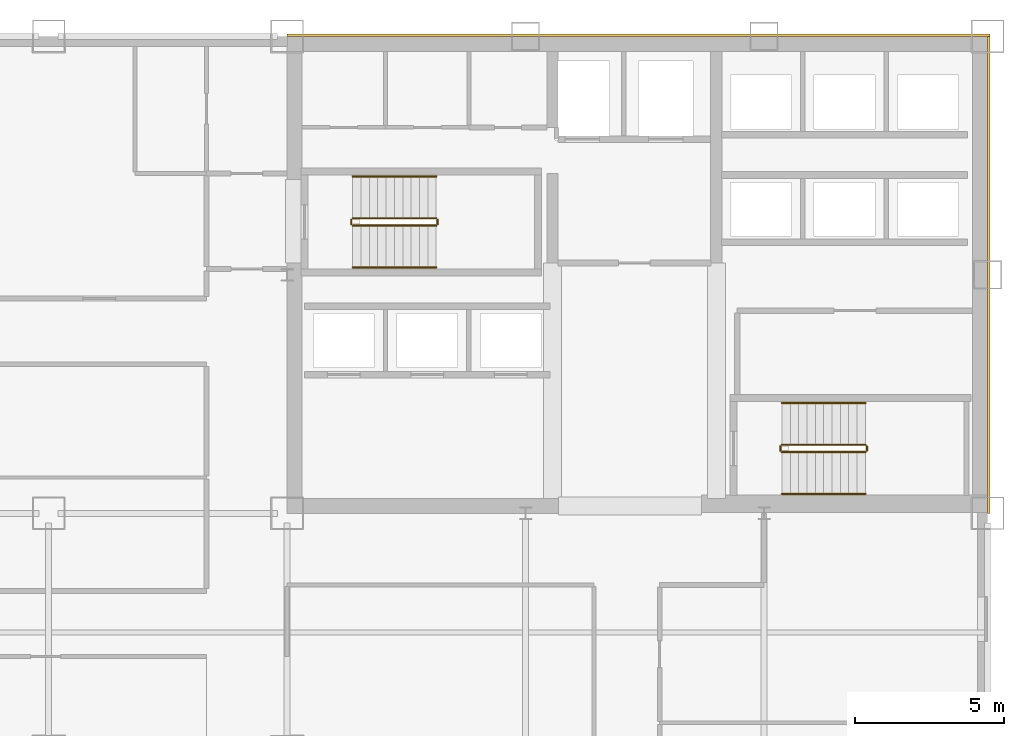
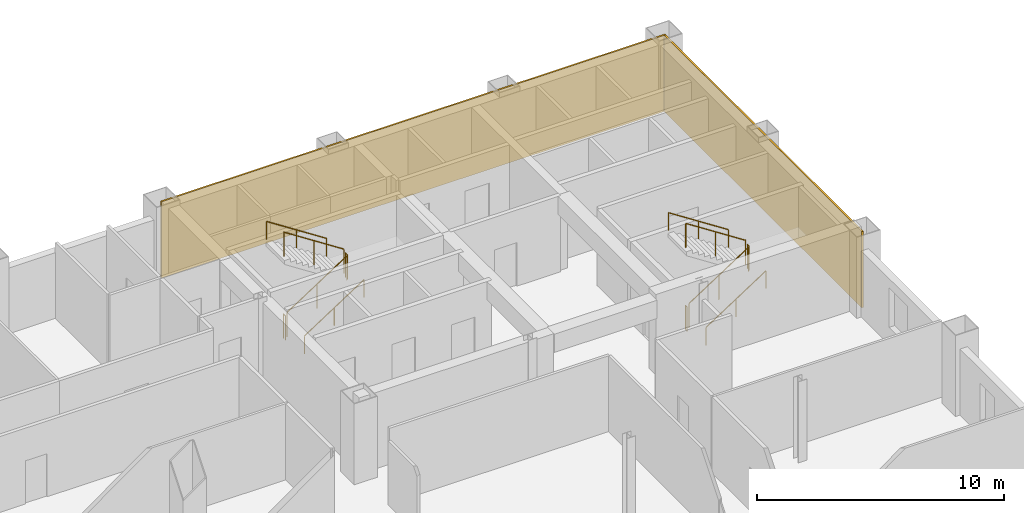
# One storey, part 10 of 10: 12 railings, 2 coverings.
"""IFC4 building model written with IfcOpenShell, lengths in metres."""

from ifc_helpers import new_model, si_unit, direction, frame, origin, origin_2d, place, context, subcontext, project, spatial, rectangle, circle, extrude, material, layer, layer_set, type_object, element, save


model = new_model("IFC4")

# Units and contexts
model_context = context("Model", 3, precision=1e-05, world=origin(), true_north=direction((0.0, 1.0)))
body_context = subcontext(model_context, "Body", "Model", "MODEL_VIEW")
ifc_project = project(units=[si_unit("LENGTHUNIT", "METRE"), si_unit("AREAUNIT", "SQUARE_METRE"), si_unit("VOLUMEUNIT", "CUBIC_METRE"), si_unit("PLANEANGLEUNIT", "RADIAN"), si_unit("MASSUNIT", "GRAM", prefix="KILO")], contexts=[model_context])

# Site, building, storey
site_placement = place(None, origin())
site = spatial("IfcSite", under=ifc_project, at=site_placement, CompositionType="ELEMENT")
building_placement = place(site_placement, origin())
building = spatial("IfcBuilding", under=site, at=building_placement, Name="Qianrong Seaharbour Tower", CompositionType="ELEMENT")
storey_placement = place(building_placement, frame((0.0, 0.0, 187.0)))
storey = spatial("IfcBuildingStorey", under=building, at=storey_placement, Name="L45", CompositionType="ELEMENT", Elevation=187.0)

# Coverings
ifc_material_1 = material(Name="Unitised red brick cladding on Precast concrete C45/55", Category="masonry")
ifc_layer = layer(ifc_material_1, 0.080078125)
ifc_layer_set = layer_set([ifc_layer], Name="Unitised red brick cladding on Precast concrete C45/55")
covering_type = type_object("IfcCoveringType", Name="COV-CLAD-RED-BRICK-80", PredefinedType="CLADDING", material=ifc_layer_set)
covering_1_placement = place(storey_placement, frame((52.2900390625, 52.0400390625, 0.0), z_axis=(0.0, 0.0, 1.0), x_axis=(1.0, 0.0, 0.0)))
element("IfcCovering", 1, at=covering_1_placement, inside=storey, type_object=covering_type, Name="L45 North Core Brick Veneer Cladding", PredefinedType="CLADDING", context=body_context, shape_type="SweptSolid", body=[
    extrude(rectangle(XDim=23.580078125, YDim=0.080078125, at=origin_2d()), origin(), (0.0, 0.0, 1.0), 3.764892578125),
])
covering_2_placement = place(storey_placement, frame((64.0400390625, 44.0, 0.0), z_axis=(0.0, 0.0, 1.0), x_axis=(1.0, 0.0, 0.0)))
element("IfcCovering", 2, at=covering_2_placement, inside=storey, type_object=covering_type, Name="L45 East Core Brick Veneer Cladding", PredefinedType="CLADDING", context=body_context, shape_type="SweptSolid", body=[
    extrude(rectangle(XDim=0.080078125, YDim=16.0, at=origin_2d()), origin(), (0.0, 0.0, 1.0), 3.764892578125),
])

# Railings
ifc_material_2 = material(Name="Galvanized painted steel SN400B stair guard", Category="steel")
railing_type_1 = type_object("IfcRailingType", Name="RAIL-STAIR-GUARD-1220", PredefinedType="GUARDRAIL", material=ifc_material_2)
railing_1_placement = place(storey_placement, frame((42.699951171875, 45.64990234375, 0.181884765625)))
element("IfcRailing", 3, at=railing_1_placement, inside=storey, type_object=railing_type_1, Name="L45 ST-1 stair guard 1", PredefinedType="GUARDRAIL", context=body_context, shape_type="SweptSolid", body=[
    extrude(circle(Radius=0.02392578125, at=origin_2d()), frame((0.0, 0.0, 1.19580078125), z_axis=(0.838705829183, 0.0, 0.544584733623), x_axis=(0.0, 1.0, 0.0)), (0.0, 0.0, 1.0), 3.338623046875),
    extrude(circle(Radius=0.02099609375, at=origin_2d()), origin(), (0.0, 0.0, 1.0), 1.171875),
    extrude(circle(Radius=0.02099609375, at=origin_2d()), frame((1.39990234375, 0.0, 0.9091796875)), (0.0, 0.0, 1.0), 1.171875),
    extrude(circle(Radius=0.02099609375, at=origin_2d()), frame((2.800048828125, 0.0, 1.818115234375)), (0.0, 0.0, 1.0), 1.171875),
])
railing_2_placement = place(storey_placement, frame((45.550048828125, 45.699951171875, 2.0)))
element("IfcRailing", 4, at=railing_2_placement, inside=storey, type_object=railing_type_1, Name="L45 ST-1 stair guard 2", PredefinedType="GUARDRAIL", context=body_context, shape_type="SweptSolid", body=[
    extrude(circle(Radius=0.02392578125, at=origin_2d()), frame((0.0, 0.0, 1.19580078125), z_axis=(0.0, 1.0, 0.0), x_axis=(-1.0, 0.0, 0.0)), (0.0, 0.0, 1.0), 0.150146484375),
    extrude(circle(Radius=0.02099609375, at=origin_2d()), origin(), (0.0, 0.0, 1.0), 1.171875),
    extrude(circle(Radius=0.02099609375, at=origin_2d()), frame((0.0, 0.150146484375, 0.0)), (0.0, 0.0, 1.0), 1.171875),
])
railing_3_placement = place(storey_placement, frame((45.5, 45.89990234375, 2.181884765625)))
element("IfcRailing", 5, at=railing_3_placement, inside=storey, type_object=railing_type_1, Name="L45 ST-1 stair guard 3", PredefinedType="GUARDRAIL", context=body_context, shape_type="SweptSolid", body=[
    extrude(circle(Radius=0.02392578125, at=origin_2d()), frame((0.0, 0.0, 1.19580078125), z_axis=(-0.838705829183, 0.0, 0.544584733623), x_axis=(0.0, -1.0, 0.0)), (0.0, 0.0, 1.0), 3.338623046875),
    extrude(circle(Radius=0.02099609375, at=origin_2d()), origin(), (0.0, 0.0, 1.0), 1.171875),
    extrude(circle(Radius=0.02099609375, at=origin_2d()), frame((-1.39990234375, 0.0, 0.9091796875)), (0.0, 0.0, 1.0), 1.171875),
    extrude(circle(Radius=0.02099609375, at=origin_2d()), frame((-2.800048828125, 0.0, 1.818115234375)), (0.0, 0.0, 1.0), 1.171875),
])
railing_4_placement = place(storey_placement, frame((42.64990234375, 45.699951171875, 0.0)))
element("IfcRailing", 6, at=railing_4_placement, inside=storey, type_object=railing_type_1, Name="L45 ST-1 stair guard 4", PredefinedType="GUARDRAIL", context=body_context, shape_type="SweptSolid", body=[
    extrude(circle(Radius=0.02392578125, at=origin_2d()), frame((0.0, 0.0, 1.19580078125), z_axis=(0.0, 1.0, 0.0), x_axis=(-1.0, 0.0, 0.0)), (0.0, 0.0, 1.0), 0.150146484375),
    extrude(circle(Radius=0.02099609375, at=origin_2d()), origin(), (0.0, 0.0, 1.0), 1.171875),
    extrude(circle(Radius=0.02099609375, at=origin_2d()), frame((0.0, 0.150146484375, 0.0)), (0.0, 0.0, 1.0), 1.171875),
])
railing_5_placement = place(storey_placement, frame((57.10009765625, 38.050048828125, 0.181884765625)))
element("IfcRailing", 7, at=railing_5_placement, inside=storey, type_object=railing_type_1, Name="L45 ST-2 stair guard 1", PredefinedType="GUARDRAIL", context=body_context, shape_type="SweptSolid", body=[
    extrude(circle(Radius=0.02392578125, at=origin_2d()), frame((0.0, 0.0, 1.19580078125), z_axis=(0.83868413941, 0.0, 0.544618136222), x_axis=(0.0, 1.0, 0.0)), (0.0, 0.0, 1.0), 3.33837890625),
    extrude(circle(Radius=0.02099609375, at=origin_2d()), origin(), (0.0, 0.0, 1.0), 1.171875),
    extrude(circle(Radius=0.02099609375, at=origin_2d()), frame((1.39990234375, 0.0, 0.9091796875)), (0.0, 0.0, 1.0), 1.171875),
    extrude(circle(Radius=0.02099609375, at=origin_2d()), frame((2.7998046875, 0.0, 1.818115234375)), (0.0, 0.0, 1.0), 1.171875),
])
railing_6_placement = place(storey_placement, frame((59.949951171875, 38.10009765625, 2.0)))
element("IfcRailing", 8, at=railing_6_placement, inside=storey, type_object=railing_type_1, Name="L45 ST-2 stair guard 2", PredefinedType="GUARDRAIL", context=body_context, shape_type="SweptSolid", body=[
    extrude(circle(Radius=0.02392578125, at=origin_2d()), frame((0.0, 0.0, 1.19580078125), z_axis=(0.0, 1.0, 0.0), x_axis=(-1.0, 0.0, 0.0)), (0.0, 0.0, 1.0), 0.14990234375),
    extrude(circle(Radius=0.02099609375, at=origin_2d()), origin(), (0.0, 0.0, 1.0), 1.171875),
    extrude(circle(Radius=0.02099609375, at=origin_2d()), frame((0.0, 0.14990234375, 0.0)), (0.0, 0.0, 1.0), 1.171875),
])
railing_7_placement = place(storey_placement, frame((59.89990234375, 38.300048828125, 2.181884765625)))
element("IfcRailing", 9, at=railing_7_placement, inside=storey, type_object=railing_type_1, Name="L45 ST-2 stair guard 3", PredefinedType="GUARDRAIL", context=body_context, shape_type="SweptSolid", body=[
    extrude(circle(Radius=0.02392578125, at=origin_2d()), frame((0.0, 0.0, 1.19580078125), z_axis=(-0.83868413941, 0.0, 0.544618136222), x_axis=(0.0, -1.0, 0.0)), (0.0, 0.0, 1.0), 3.33837890625),
    extrude(circle(Radius=0.02099609375, at=origin_2d()), origin(), (0.0, 0.0, 1.0), 1.171875),
    extrude(circle(Radius=0.02099609375, at=origin_2d()), frame((-1.39990234375, 0.0, 0.9091796875)), (0.0, 0.0, 1.0), 1.171875),
    extrude(circle(Radius=0.02099609375, at=origin_2d()), frame((-2.7998046875, 0.0, 1.818115234375)), (0.0, 0.0, 1.0), 1.171875),
])
railing_8_placement = place(storey_placement, frame((57.050048828125, 38.10009765625, 0.0)))
element("IfcRailing", 10, at=railing_8_placement, inside=storey, type_object=railing_type_1, Name="L45 ST-2 stair guard 4", PredefinedType="GUARDRAIL", context=body_context, shape_type="SweptSolid", body=[
    extrude(circle(Radius=0.02392578125, at=origin_2d()), frame((0.0, 0.0, 1.19580078125), z_axis=(0.0, 1.0, 0.0), x_axis=(-1.0, 0.0, 0.0)), (0.0, 0.0, 1.0), 0.14990234375),
    extrude(circle(Radius=0.02099609375, at=origin_2d()), origin(), (0.0, 0.0, 1.0), 1.171875),
    extrude(circle(Radius=0.02099609375, at=origin_2d()), frame((0.0, 0.14990234375, 0.0)), (0.0, 0.0, 1.0), 1.171875),
])
ifc_material_3 = material(Name="Stainless steel SUS316L continuous handrail", Category="steel")
railing_type_2 = type_object("IfcRailingType", Name="RAIL-STAIR-HANDRAIL-900", PredefinedType="HANDRAIL", material=ifc_material_3)
railing_9_placement = place(storey_placement, frame((42.699951171875, 44.25, 0.181884765625)))
element("IfcRailing", 11, at=railing_9_placement, inside=storey, type_object=railing_type_2, Name="L45 ST-1 stair handrail 1", PredefinedType="HANDRAIL", context=body_context, shape_type="SweptSolid", body=[
    extrude(circle(Radius=0.02392578125, at=origin_2d()), frame((0.0, 0.0, 0.8759765625), z_axis=(0.838705829183, 0.0, 0.544584733623), x_axis=(0.0, 1.0, 0.0)), (0.0, 0.0, 1.0), 3.338623046875),
    extrude(circle(Radius=0.02099609375, at=origin_2d()), origin(), (0.0, 0.0, 1.0), 0.851806640625),
    extrude(circle(Radius=0.02099609375, at=origin_2d()), frame((1.39990234375, 0.0, 0.9091796875)), (0.0, 0.0, 1.0), 0.851806640625),
    extrude(circle(Radius=0.02099609375, at=origin_2d()), frame((2.800048828125, 0.0, 1.818115234375)), (0.0, 0.0, 1.0), 0.851806640625),
])
railing_10_placement = place(storey_placement, frame((45.5, 47.300048828125, 2.181884765625)))
element("IfcRailing", 12, at=railing_10_placement, inside=storey, type_object=railing_type_2, Name="L45 ST-1 stair handrail 2", PredefinedType="HANDRAIL", context=body_context, shape_type="SweptSolid", body=[
    extrude(circle(Radius=0.02392578125, at=origin_2d()), frame((0.0, 0.0, 0.8759765625), z_axis=(-0.838705829183, 0.0, 0.544584733623), x_axis=(0.0, -1.0, 0.0)), (0.0, 0.0, 1.0), 3.338623046875),
    extrude(circle(Radius=0.02099609375, at=origin_2d()), origin(), (0.0, 0.0, 1.0), 0.851806640625),
    extrude(circle(Radius=0.02099609375, at=origin_2d()), frame((-1.39990234375, 0.0, 0.9091796875)), (0.0, 0.0, 1.0), 0.851806640625),
    extrude(circle(Radius=0.02099609375, at=origin_2d()), frame((-2.800048828125, 0.0, 1.818115234375)), (0.0, 0.0, 1.0), 0.851806640625),
])
railing_11_placement = place(storey_placement, frame((57.10009765625, 36.64990234375, 0.181884765625)))
element("IfcRailing", 13, at=railing_11_placement, inside=storey, type_object=railing_type_2, Name="L45 ST-2 stair handrail 1", PredefinedType="HANDRAIL", context=body_context, shape_type="SweptSolid", body=[
    extrude(circle(Radius=0.02392578125, at=origin_2d()), frame((0.0, 0.0, 0.8759765625), z_axis=(0.83868413941, 0.0, 0.544618136222), x_axis=(0.0, 1.0, 0.0)), (0.0, 0.0, 1.0), 3.33837890625),
    extrude(circle(Radius=0.02099609375, at=origin_2d()), origin(), (0.0, 0.0, 1.0), 0.851806640625),
    extrude(circle(Radius=0.02099609375, at=origin_2d()), frame((1.39990234375, 0.0, 0.9091796875)), (0.0, 0.0, 1.0), 0.851806640625),
    extrude(circle(Radius=0.02099609375, at=origin_2d()), frame((2.7998046875, 0.0, 1.818115234375)), (0.0, 0.0, 1.0), 0.851806640625),
])
railing_12_placement = place(storey_placement, frame((59.89990234375, 39.699951171875, 2.181884765625)))
element("IfcRailing", 14, at=railing_12_placement, inside=storey, type_object=railing_type_2, Name="L45 ST-2 stair handrail 2", PredefinedType="HANDRAIL", context=body_context, shape_type="SweptSolid", body=[
    extrude(circle(Radius=0.02392578125, at=origin_2d()), frame((0.0, 0.0, 0.8759765625), z_axis=(-0.83868413941, 0.0, 0.544618136222), x_axis=(0.0, -1.0, 0.0)), (0.0, 0.0, 1.0), 3.33837890625),
    extrude(circle(Radius=0.02099609375, at=origin_2d()), origin(), (0.0, 0.0, 1.0), 0.851806640625),
    extrude(circle(Radius=0.02099609375, at=origin_2d()), frame((-1.39990234375, 0.0, 0.9091796875)), (0.0, 0.0, 1.0), 0.851806640625),
    extrude(circle(Radius=0.02099609375, at=origin_2d()), frame((-2.7998046875, 0.0, 1.818115234375)), (0.0, 0.0, 1.0), 0.851806640625),
])

save(model, "model.ifc")
